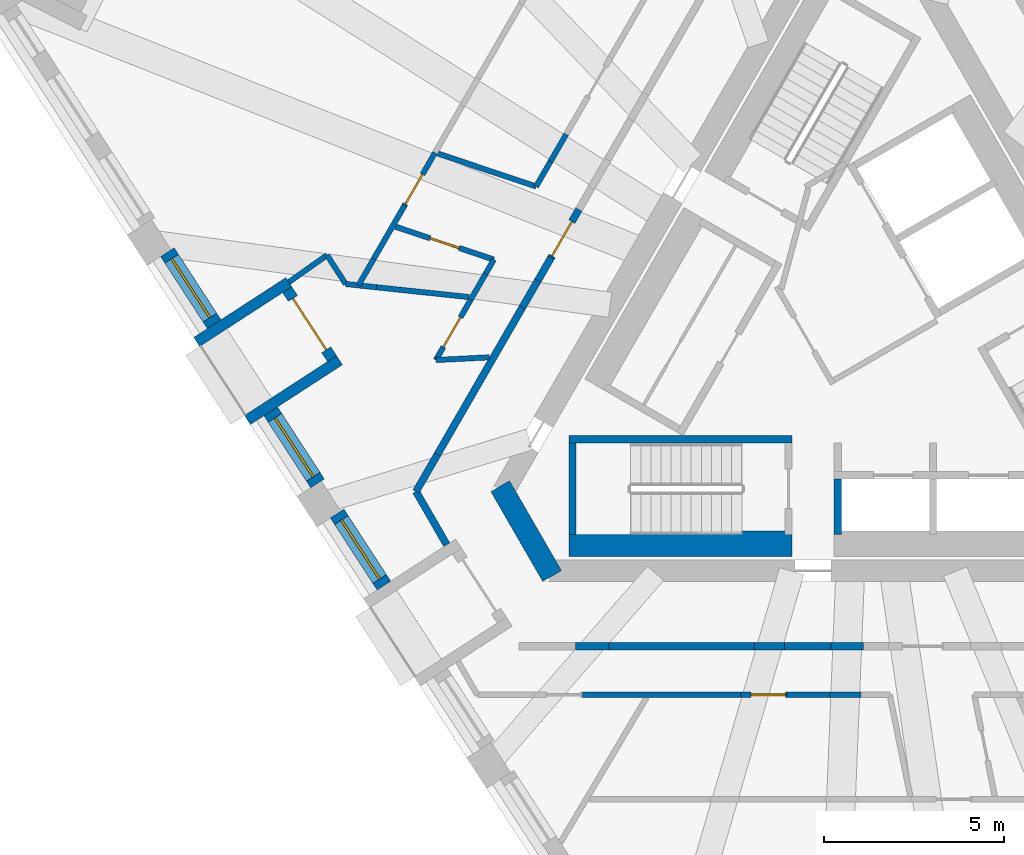
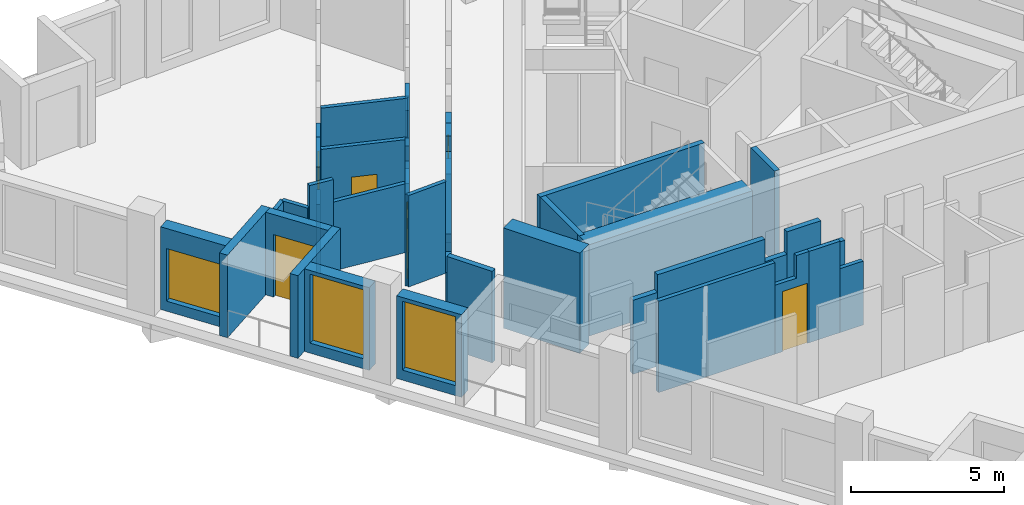
# One storey, part 3 of 12: 41 walls, 6 doors, 3 windows, 9 openings.
"""IFC4 building model written with IfcOpenShell, lengths in metres."""

from ifc_helpers import new_model, si_unit, direction, frame, frame_2d, origin, place, context, subcontext, project, spatial, polyline, rectangle, outline, extrude, material, layer, layer_set, type_object, element, fill, save


model = new_model("IFC4")

# Units and contexts
model_context = context("Model", 3, precision=1e-05, world=origin(), true_north=direction((0.0, 1.0)))
body_context = subcontext(model_context, "Body", "Model", "MODEL_VIEW")
ifc_project = project(units=[si_unit("LENGTHUNIT", "METRE"), si_unit("AREAUNIT", "SQUARE_METRE"), si_unit("VOLUMEUNIT", "CUBIC_METRE"), si_unit("PLANEANGLEUNIT", "RADIAN"), si_unit("MASSUNIT", "GRAM", prefix="KILO")], contexts=[model_context])

# Site, building, storey
site_placement = place(None, origin())
site = spatial("IfcSite", under=ifc_project, at=site_placement, CompositionType="ELEMENT")
building_placement = place(site_placement, origin())
building = spatial("IfcBuilding", under=site, at=building_placement, Name="Tramontana Tower", CompositionType="ELEMENT")
storey_placement = place(building_placement, frame((0.0, 0.0, 298.39990234375)))
storey = spatial("IfcBuildingStorey", under=building, at=storey_placement, Name="L70", CompositionType="ELEMENT", Elevation=298.39990234375)

# Walls
ifc_material_1 = material(Name="Concrete 70 MPa", Category="concrete")
ifc_layer_1 = layer(ifc_material_1, 0.60009765625)
ifc_layer_set_1 = layer_set([ifc_layer_1], Name="Core wall 600 70 MPa")
wall_type_1 = type_object("IfcWallType", Name="Core wall 600 70 MPa", PredefinedType="SHEAR", material=ifc_layer_set_1)
wall_1_placement = place(storey_placement, frame((-9.98828125, -4.10009765625, 0.0), z_axis=(0.0, 0.0, 1.0), x_axis=(0.499995765644, -0.866027848477, 0.0)))
element("IfcWall", 1, at=wall_1_placement, inside=storey, type_object=wall_type_1, Name="Core wall C2 L70", PredefinedType="SHEAR", context=body_context, shape_type="SweptSolid", body=[
    extrude(rectangle(XDim=2.88671875, YDim=0.60009765625, at=frame_2d((1.443359375, 0.0))), origin(), (0.0, 0.0, 1.0), 4.0),
])
ifc_material_2 = material(Name="Blockwork", Category="masonry")
ifc_layer_2 = layer(ifc_material_2, 0.199951171875)
ifc_layer_set_2 = layer_set([ifc_layer_2], Name="ENTRY WALL 200")
wall_type_2 = type_object("IfcWallType", Name="ENTRY WALL 200", PredefinedType="SOLIDWALL", material=ifc_layer_set_2)
wall_2_placement = place(storey_placement, frame((0.104248046875, -8.550048828125, 0.0), z_axis=(0.0, 0.0, 1.0), x_axis=(-1.0, 0.0, 0.0)))
element("IfcWall", 2, at=wall_2_placement, inside=storey, type_object=wall_type_2, Name="Wall v72-ew1-6", PredefinedType="SOLIDWALL", context=body_context, shape_type="SweptSolid", body=[
    extrude(rectangle(XDim=0.900634765625, YDim=0.199951171875, at=frame_2d((0.4501953125, 0.0))), origin(), (0.0, 0.0, 1.0), 2.550048828125),
])
wall_3_placement = place(storey_placement, frame((-0.79638671875, -8.550048828125, 0.0), z_axis=(0.0, 0.0, 1.0), x_axis=(-1.0, 0.0, 0.0)))
element("IfcWall", 3, at=wall_3_placement, inside=storey, type_object=wall_type_2, Name="Wall v72-ew1-7", PredefinedType="SOLIDWALL", context=body_context, shape_type="SweptSolid", body=[
    extrude(rectangle(XDim=1.2861328125, YDim=0.199951171875, at=frame_2d((0.64306640625, 0.0))), origin(), (0.0, 0.0, 1.0), 3.650146484375),
])
wall_4_placement = place(storey_placement, frame((-2.08251953125, -8.550048828125, 0.0), z_axis=(0.0, 0.0, 1.0), x_axis=(-1.0, 0.0, 0.0)))
element("IfcWall", 4, at=wall_4_placement, inside=storey, type_object=wall_type_2, Name="Wall v72-ew1-8", PredefinedType="SOLIDWALL", context=body_context, shape_type="SweptSolid", body=[
    extrude(rectangle(XDim=0.83349609375, YDim=0.199951171875, at=frame_2d((0.416748046875, 0.0))), origin(), (0.0, 0.0, 1.0), 2.75),
])
wall_5_placement = place(storey_placement, frame((-2.916015625, -8.550048828125, 0.0), z_axis=(0.0, 0.0, 1.0), x_axis=(-1.0, 0.0, 0.0)))
element("IfcWall", 5, at=wall_5_placement, inside=storey, type_object=wall_type_2, Name="Wall v72-ew1-9", PredefinedType="SOLIDWALL", context=body_context, shape_type="SweptSolid", body=[
    extrude(rectangle(XDim=4.052490234375, YDim=0.199951171875, at=frame_2d((2.0263671875, 0.0))), origin(), (0.0, 0.0, 1.0), 3.650146484375),
])
wall_6_placement = place(storey_placement, frame((-6.968505859375, -8.550048828125, 0.0), z_axis=(0.0, 0.0, 1.0), x_axis=(-1.0, 0.0, 0.0)))
element("IfcWall", 6, at=wall_6_placement, inside=storey, type_object=wall_type_2, Name="Wall v72-ew1-10", PredefinedType="SOLIDWALL", context=body_context, shape_type="SweptSolid", body=[
    extrude(rectangle(XDim=0.927490234375, YDim=0.199951171875, at=frame_2d((0.4638671875, 0.0))), origin(), (0.0, 0.0, 1.0), 2.9501953125),
])
wall_7_placement = place(storey_placement, frame((-11.472412109375, -5.729248046875, 0.0), z_axis=(0.0, 0.0, 1.0), x_axis=(-0.499982281718, 0.866035633198, 0.0)))
element("IfcWall", 7, at=wall_7_placement, inside=storey, type_object=wall_type_2, Name="Wall v72-ew2", PredefinedType="SOLIDWALL", context=body_context, shape_type="SweptSolid", body=[
    extrude(rectangle(XDim=1.7080078125, YDim=0.199951171875, at=frame_2d((0.85400390625, 0.0))), origin(), (0.0, 0.0, 1.0), 3.650146484375),
])
wall_8_placement = place(storey_placement, frame((-12.326416015625, -4.25, 0.0), z_axis=(0.0, 0.0, 1.0), x_axis=(0.499983247966, 0.86603507536, 0.0)))
element("IfcWall", 8, at=wall_8_placement, inside=storey, type_object=wall_type_2, Name="Wall v72-ew3-0", PredefinedType="SOLIDWALL", context=body_context, shape_type="SweptSolid", body=[
    extrude(rectangle(XDim=1.1884765625, YDim=0.199951171875, at=frame_2d((0.59423828125, 0.0))), origin(), (0.0, 0.0, 1.0), 2.9501953125),
])
wall_9_placement = place(storey_placement, frame((-11.732177734375, -3.220703125, 0.0), z_axis=(0.0, 0.0, 1.0), x_axis=(0.500007683529, 0.866020967652, 0.0)))
element("IfcWall", 9, at=wall_9_placement, inside=storey, type_object=wall_type_2, Name="Wall v72-ew3-1", PredefinedType="SOLIDWALL", context=body_context, shape_type="SweptSolid", body=[
    extrude(rectangle(XDim=4.71728515625, YDim=0.199951171875, at=frame_2d((2.358642578125, 0.0))), origin(), (0.0, 0.0, 1.0), 3.650146484375),
])
wall_10_placement = place(storey_placement, frame((-9.37353515625, 0.864501953125, 0.0), z_axis=(0.0, 0.0, 1.0), x_axis=(0.500056482814, 0.86599279096, 0.0)))
element("IfcWall", 10, at=wall_10_placement, inside=storey, type_object=wall_type_2, Name="Wall v72-ew3-2", PredefinedType="SOLIDWALL", context=body_context, shape_type="SweptSolid", body=[
    extrude(rectangle(XDim=0.86474609375, YDim=0.199951171875, at=frame_2d((0.432373046875, 0.0))), origin(), (0.0, 0.0, 1.0), 2.75),
])
wall_11_placement = place(storey_placement, frame((-8.941162109375, 1.61328125, 0.0), z_axis=(0.0, 0.0, 1.0), x_axis=(0.499875190247, 0.866097450739, 0.0)))
element("IfcWall", 11, at=wall_11_placement, inside=storey, type_object=wall_type_2, Name="Wall v72-ew3-3", PredefinedType="SOLIDWALL", context=body_context, shape_type="SweptSolid", body=[
    extrude(rectangle(XDim=0.738037109375, YDim=0.199951171875, at=frame_2d((0.369140625, 0.0))), origin(), (0.0, 0.0, 1.0), 3.650146484375),
])

# Wall, opening, door
wall_12_placement = place(storey_placement, frame((-8.572265625, 2.25244140625, 0.0), z_axis=(0.0, 0.0, 1.0), x_axis=(0.499992328818, 0.866029832698, 0.0)))
wall_12 = element("IfcWall", 12, at=wall_12_placement, inside=storey, type_object=wall_type_2, Name="Wall v72-ew3-4", PredefinedType="SOLIDWALL", context=body_context, shape_type="SweptSolid", body=[
    extrude(outline(polyline([(0.0, 0.0), (1.5400390625, 0.0), (1.5400390625, 2.550048828125), (0.63037109375, 2.550048828125), (0.63037109375, 3.650146484375), (0.0, 3.650146484375), (0.0, 0.0)])), frame((0.0, 0.10009765625, 0.0), z_axis=(0.0, -1.0, 0.0), x_axis=(1.0, 0.0, 0.0)), (0.0, 0.0, 1.0), 0.199951171875),
])
opening_1_placement = place(wall_12_placement, frame((0.050048828125, 0.0, 0.0)))
opening_1 = element("IfcOpeningElement", 13, at=opening_1_placement, cuts=wall_12, Name="Opening B7C-17", PredefinedType="OPENING", context=body_context, shape_type="SweptSolid", body=[
    extrude(rectangle(XDim=1.10009765625, YDim=2.39990234375, at=frame_2d((0.550048828125, 1.199951171875))), frame((0.0, 0.10986328125, 0.0), z_axis=(0.0, -1.0, 0.0), x_axis=(1.0, 0.0, 0.0)), (0.0, 0.0, 1.0), 0.219970703125),
])
ifc_material_3 = material(Name="Painted timber", Category="wood")
door_type_1 = type_object("IfcDoorType", Name="DOOR ENTRY 1100", OperationType="SINGLE_SWING_LEFT", PredefinedType="DOOR", material=ifc_material_3)
door_1_placement = place(opening_1_placement, origin())
door_1 = element("IfcDoor", 14, at=door_1_placement, inside=storey, type_object=door_type_1, Name="Door B7C-17", OperationType="SINGLE_SWING_LEFT", OverallHeight=2.39990234375, OverallWidth=1.10009765625, PredefinedType="DOOR", context=body_context, shape_type="SweptSolid", body=[
    extrude(rectangle(XDim=1.10009765625, YDim=2.39990234375, at=frame_2d((0.550048828125, 1.199951171875))), frame((0.0, 0.02490234375, 0.0), z_axis=(0.0, -1.0, 0.0), x_axis=(1.0, 0.0, 0.0)), (0.0, 0.0, 1.0), 0.050048828125),
])
fill(opening_1, door_1)

# Wall, opening, window
ifc_material_4 = material(Name="Precast concrete 60 MPa", Category="concrete")
ifc_layer_3 = layer(ifc_material_4, 0.449951171875)
ifc_layer_set_3 = layer_set([ifc_layer_3], Name="Precast concrete 60 MPa, 450 mm")
wall_type_3 = type_object("IfcWallType", Name="EW1 Stone-faced precast wall 450", PredefinedType="SOLIDWALL", material=ifc_layer_set_3)
wall_13_placement = place(storey_placement, frame((-19.236083984375, 2.401123046875, 0.0), z_axis=(0.0, 0.0, 1.0), x_axis=(0.544675520966, -0.838646872563, 0.0)))
wall_13 = element("IfcWall", 15, at=wall_13_placement, inside=storey, type_object=wall_type_3, Name="External wall L70 face 0 bay 2", PredefinedType="SOLIDWALL", context=body_context, shape_type="SweptSolid", body=[
    extrude(rectangle(XDim=2.38671875, YDim=0.449951171875, at=frame_2d((1.193359375, 0.0))), origin(), (0.0, 0.0, 1.0), 3.300048828125),
])
opening_2_placement = place(wall_13_placement, frame((0.21826171875, 0.0, 0.39990234375)))
opening_2 = element("IfcOpeningElement", 16, at=opening_2_placement, cuts=wall_13, Name="Opening M3L", PredefinedType="OPENING", context=body_context, shape_type="SweptSolid", body=[
    extrude(rectangle(XDim=1.949951171875, YDim=2.10009765625, at=frame_2d((0.97509765625, 1.050048828125))), frame((0.0, 0.23486328125, 0.0), z_axis=(0.0, -1.0, 0.0), x_axis=(1.0, 0.0, 0.0)), (0.0, 0.0, 1.0), 0.469970703125),
])
ifc_material_5 = material(Name="Aluminum frame, double glazing unit", Category="aluminium")
window_type_1 = type_object("IfcWindowType", Name="M3L Window 1.95 x 2.1", PartitioningType="SINGLE_PANEL", PredefinedType="WINDOW", material=ifc_material_5)
window_1_placement = place(opening_2_placement, origin())
window_1 = element("IfcWindow", 17, at=window_1_placement, inside=storey, type_object=window_type_1, Name="Window M3L L70 face 0 module 4", OverallHeight=2.10009765625, OverallWidth=1.949951171875, PartitioningType="SINGLE_PANEL", PredefinedType="WINDOW", context=body_context, shape_type="SweptSolid", body=[
    extrude(rectangle(XDim=1.949951171875, YDim=2.10009765625, at=frame_2d((0.97509765625, 1.050048828125))), frame((0.0, 0.030029296875, 0.0), z_axis=(0.0, -1.0, 0.0), x_axis=(1.0, 0.0, 0.0)), (0.0, 0.0, 1.0), 0.06005859375),
])
fill(opening_2, window_1)

wall_14_placement = place(storey_placement, frame((-16.36376953125, -2.021728515625, 0.0), z_axis=(0.0, 0.0, 1.0), x_axis=(0.544603573947, -0.838693595566, 0.0)))
wall_14 = element("IfcWall", 18, at=wall_14_placement, inside=storey, type_object=wall_type_3, Name="External wall L70 face 0 bay 2", PredefinedType="SOLIDWALL", context=body_context, shape_type="SweptSolid", body=[
    extrude(rectangle(XDim=2.38671875, YDim=0.449951171875, at=frame_2d((1.193359375, 0.0))), origin(), (0.0, 0.0, 1.0), 3.300048828125),
])
opening_3_placement = place(wall_14_placement, frame((0.21826171875, 0.0, 0.39990234375)))
opening_3 = element("IfcOpeningElement", 19, at=opening_3_placement, cuts=wall_14, Name="Opening M3", PredefinedType="OPENING", context=body_context, shape_type="SweptSolid", body=[
    extrude(rectangle(XDim=1.949951171875, YDim=2.75, at=frame_2d((0.97509765625, 1.375))), frame((0.0, 0.23486328125, 0.0), z_axis=(0.0, -1.0, 0.0), x_axis=(1.0, 0.0, 0.0)), (0.0, 0.0, 1.0), 0.469970703125),
])
ifc_material_6 = material(Name="Aluminum frame, double glazing unit", Category="aluminium")
window_type_2 = type_object("IfcWindowType", Name="M3 Window 1.95 x 2.75", PartitioningType="SINGLE_PANEL", PredefinedType="WINDOW", material=ifc_material_6)
window_2_placement = place(opening_3_placement, origin())
window_2 = element("IfcWindow", 20, at=window_2_placement, inside=storey, type_object=window_type_2, Name="Window M3 L70 face 0 module 6", OverallHeight=2.75, OverallWidth=1.949951171875, PartitioningType="SINGLE_PANEL", PredefinedType="WINDOW", context=body_context, shape_type="SweptSolid", body=[
    extrude(rectangle(XDim=1.949951171875, YDim=2.75, at=frame_2d((0.97509765625, 1.375))), frame((0.0, 0.030029296875, 0.0), z_axis=(0.0, -1.0, 0.0), x_axis=(1.0, 0.0, 0.0)), (0.0, 0.0, 1.0), 0.06005859375),
])
fill(opening_3, window_2)

wall_15_placement = place(storey_placement, frame((-14.519287109375, -4.862060546875, 0.0), z_axis=(0.0, 0.0, 1.0), x_axis=(0.544603573947, -0.838693595566, 0.0)))
wall_15 = element("IfcWall", 21, at=wall_15_placement, inside=storey, type_object=wall_type_3, Name="External wall L70 face 0 bay 3", PredefinedType="SOLIDWALL", context=body_context, shape_type="SweptSolid", body=[
    extrude(rectangle(XDim=2.38671875, YDim=0.449951171875, at=frame_2d((1.193359375, 0.0))), origin(), (0.0, 0.0, 1.0), 3.300048828125),
])
opening_4_placement = place(wall_15_placement, frame((0.21826171875, 0.0, 0.39990234375)))
opening_4 = element("IfcOpeningElement", 22, at=opening_4_placement, cuts=wall_15, Name="Opening M3", PredefinedType="OPENING", context=body_context, shape_type="SweptSolid", body=[
    extrude(rectangle(XDim=1.949951171875, YDim=2.75, at=frame_2d((0.97509765625, 1.375))), frame((0.0, 0.23486328125, 0.0), z_axis=(0.0, -1.0, 0.0), x_axis=(1.0, 0.0, 0.0)), (0.0, 0.0, 1.0), 0.469970703125),
])
window_3_placement = place(opening_4_placement, origin())
window_3 = element("IfcWindow", 23, at=window_3_placement, inside=storey, type_object=window_type_2, Name="Window M3 L70 face 0 module 7", OverallHeight=2.75, OverallWidth=1.949951171875, PartitioningType="SINGLE_PANEL", PredefinedType="WINDOW", context=body_context, shape_type="SweptSolid", body=[
    extrude(rectangle(XDim=1.949951171875, YDim=2.75, at=frame_2d((0.97509765625, 1.375))), frame((0.0, 0.030029296875, 0.0), z_axis=(0.0, -1.0, 0.0), x_axis=(1.0, 0.0, 0.0)), (0.0, 0.0, 1.0), 0.06005859375),
])
fill(opening_4, window_3)

# Wall, opening, door
ifc_material_7 = material(Name="Precast concrete 60 MPa", Category="concrete")
ifc_layer_4 = layer(ifc_material_7, 0.300048828125)
ifc_layer_set_4 = layer_set([ifc_layer_4], Name="LW1 Stone-faced loggia wall 300")
wall_type_4 = type_object("IfcWallType", Name="LW1 Stone-faced loggia wall 300", PredefinedType="SOLIDWALL", material=ifc_layer_set_4)
wall_16_placement = place(storey_placement, frame((-15.90673828125, 1.359619140625, 0.0), z_axis=(0.0, 0.0, 1.0), x_axis=(0.544658103125, -0.838658184662, 0.0)))
wall_16 = element("IfcWall", 24, at=wall_16_placement, inside=storey, type_object=wall_type_4, Name="Loggia wall L70 G7S0.4", PredefinedType="SOLIDWALL", context=body_context, shape_type="SweptSolid", body=[
    extrude(rectangle(XDim=2.286865234375, YDim=0.300048828125, at=frame_2d((1.1435546875, 0.0))), origin(), (0.0, 0.0, 1.0), 3.300048828125),
])
opening_5_placement = place(wall_16_placement, frame((0.29345703125, 0.0, 0.0)))
opening_5 = element("IfcOpeningElement", 25, at=opening_5_placement, cuts=wall_16, Name="Opening BD-7S0-04", PredefinedType="OPENING", context=body_context, shape_type="SweptSolid", body=[
    extrude(rectangle(XDim=1.699951171875, YDim=2.5, at=frame_2d((0.85009765625, 1.25))), frame((0.0, 0.159912109375, 0.0), z_axis=(0.0, -1.0, 0.0), x_axis=(1.0, 0.0, 0.0)), (0.0, 0.0, 1.0), 0.320068359375),
])
ifc_material_8 = material(Name="Aluminum frame, double glazing unit", Category="aluminium")
door_type_2 = type_object("IfcDoorType", Name="BD3 Sliding door 1.7 x 2.5", OperationType="SLIDING_TO_LEFT", PredefinedType="DOOR", material=ifc_material_8)
door_2_placement = place(opening_5_placement, origin())
door_2 = element("IfcDoor", 26, at=door_2_placement, inside=storey, type_object=door_type_2, Name="Loggia door L70 G7S0.4", OperationType="SLIDING_TO_LEFT", OverallHeight=2.5, OverallWidth=1.699951171875, PredefinedType="DOOR", context=body_context, shape_type="SweptSolid", body=[
    extrude(rectangle(XDim=1.699951171875, YDim=2.5, at=frame_2d((0.85009765625, 1.25))), frame((0.0, 0.02490234375, 0.0), z_axis=(0.0, -1.0, 0.0), x_axis=(1.0, 0.0, 0.0)), (0.0, 0.0, 1.0), 0.050048828125),
])
fill(opening_5, door_2)

# Walls
for number, where, z_axis, x_axis, name in (
    (27, (-18.42041015625, -0.093994140625, 0.0), (0.0, 0.0, 1.0), (0.838664840319, 0.544647854685, 0.0), "Loggia return L70 G7S0.4a"),
    (28, (-17.01171875, -2.263427734375, 0.0), (0.0, 0.0, 1.0), (0.838664840319, 0.544647854685, 0.0), "Loggia return L70 G7S0.4b"),
):
    element("IfcWall", number, at=place(storey_placement, frame(where, z_axis=z_axis, x_axis=x_axis)), inside=storey, type_object=wall_type_4, Name=name, PredefinedType="SOLIDWALL", context=body_context, shape_type="SweptSolid", body=[
        extrude(rectangle(XDim=3.0498046875, YDim=0.300048828125, at=frame_2d((1.52490234375, 0.0))), origin(), (0.0, 0.0, 1.0), 3.300048828125),
    ])
ifc_material_9 = material(Name="Gypsum board partition")
ifc_layer_5 = layer(ifc_material_9, 0.14990234375)
ifc_layer_set_5 = layer_set([ifc_layer_5], Name="PARTITION 150")
wall_type_5 = type_object("IfcWallType", Name="PARTITION 150", PredefinedType="PARTITIONING", material=ifc_layer_set_5)
wall_17_placement = place(storey_placement, frame((-14.80126953125, 2.316162109375, 0.0), z_axis=(0.0, 0.0, 1.0), x_axis=(-0.817009530875, -0.576624163958, 0.0)))
element("IfcWall", 29, at=wall_17_placement, inside=storey, type_object=wall_type_5, Name="Wall v72-pw01-0", PredefinedType="PARTITIONING", context=body_context, shape_type="SweptSolid", body=[
    extrude(rectangle(XDim=1.299072265625, YDim=0.14990234375, at=frame_2d((0.6494140625, 0.0))), origin(), (0.0, 0.0, 1.0), 2.75),
])
wall_18_placement = place(storey_placement, frame((-14.279296875, 1.51611328125, 0.0), z_axis=(0.0, 0.0, 1.0), x_axis=(-0.5444931366, 0.838765297444, 0.0)))
element("IfcWall", 30, at=wall_18_placement, inside=storey, type_object=wall_type_5, Name="Wall v72-pw02-0", PredefinedType="PARTITIONING", context=body_context, shape_type="SweptSolid", body=[
    extrude(rectangle(XDim=0.953369140625, YDim=0.14990234375, at=frame_2d((0.4765625, 0.0))), origin(), (0.0, 0.0, 1.0), 2.75),
])
wall_19_placement = place(storey_placement, frame((-13.92578125, 1.479736328125, 0.0), z_axis=(0.0, 0.0, 1.0), x_axis=(0.499838235968, 0.86611877815, 0.0)))
element("IfcWall", 31, at=wall_19_placement, inside=storey, type_object=wall_type_5, Name="Wall v72-pw03-0", PredefinedType="PARTITIONING", context=body_context, shape_type="SweptSolid", body=[
    extrude(rectangle(XDim=0.851806640625, YDim=0.14990234375, at=frame_2d((0.42578125, 0.0))), origin(), (0.0, 0.0, 1.0), 2.75),
])
wall_20_placement = place(storey_placement, frame((-13.5, 2.217529296875, 0.0), z_axis=(0.0, 0.0, 1.0), x_axis=(0.500015459501, 0.866016478054, 0.0)))
element("IfcWall", 32, at=wall_20_placement, inside=storey, type_object=wall_type_5, Name="Wall v72-pw03-1", PredefinedType="PARTITIONING", context=body_context, shape_type="SweptSolid", body=[
    extrude(rectangle(XDim=1.70703125, YDim=0.14990234375, at=frame_2d((0.853515625, 0.0))), origin(), (0.0, 0.0, 1.0), 3.650146484375),
])

# Wall, opening, door
wall_21_placement = place(storey_placement, frame((-12.646484375, 3.69580078125, 0.0), z_axis=(0.0, 0.0, 1.0), x_axis=(0.500046963369, 0.865998287773, 0.0)))
wall_21 = element("IfcWall", 33, at=wall_21_placement, inside=storey, type_object=wall_type_5, Name="Wall v72-pw03-2", PredefinedType="PARTITIONING", context=body_context, shape_type="SweptSolid", body=[
    extrude(outline(polyline([(0.0, 0.0), (1.693115234375, 0.0), (1.693359375, 2.550048828125), (0.80908203125, 2.550048828125), (0.80908203125, 3.650146484375), (0.0, 3.650146484375), (0.0, 0.0)])), frame((0.0, 0.074951171875, 0.0), z_axis=(0.0, -1.0, 0.0), x_axis=(1.0, 0.0, 0.0)), (0.0, 0.0, 1.0), 0.14990234375),
])
opening_6_placement = place(wall_21_placement, frame((0.050048828125, 0.0, 0.0)))
opening_6 = element("IfcOpeningElement", 34, at=opening_6_placement, cuts=wall_21, Name="Opening B7C-03", PredefinedType="OPENING", context=body_context, shape_type="SweptSolid", body=[
    extrude(rectangle(XDim=0.949951171875, YDim=2.39990234375, at=frame_2d((0.47509765625, 1.199951171875))), frame((0.0, 0.0849609375, 0.0), z_axis=(0.0, -1.0, 0.0), x_axis=(1.0, 0.0, 0.0)), (0.0, 0.0, 1.0), 0.169921875),
])
ifc_material_10 = material(Name="Painted timber", Category="wood")
door_type_3 = type_object("IfcDoorType", Name="DOOR ROOM 950", OperationType="SINGLE_SWING_LEFT", PredefinedType="DOOR", material=ifc_material_10)
door_3_placement = place(opening_6_placement, origin())
door_3 = element("IfcDoor", 35, at=door_3_placement, inside=storey, type_object=door_type_3, Name="Door B7C-03", OperationType="SINGLE_SWING_LEFT", OverallHeight=2.39990234375, OverallWidth=0.949951171875, PredefinedType="DOOR", context=body_context, shape_type="SweptSolid", body=[
    extrude(rectangle(XDim=0.949951171875, YDim=2.39990234375, at=frame_2d((0.47509765625, 1.199951171875))), frame((0.0, 0.02490234375, 0.0), z_axis=(0.0, -1.0, 0.0), x_axis=(1.0, 0.0, 0.0)), (0.0, 0.0, 1.0), 0.050048828125),
])
fill(opening_6, door_3)

# Wall
wall_22_placement = place(storey_placement, frame((-11.724853515625, 5.14208984375, 0.0), z_axis=(0.0, 0.0, 1.0), x_axis=(0.94816538979, -0.317777270433, 0.0)))
element("IfcWall", 36, at=wall_22_placement, inside=storey, type_object=wall_type_5, Name="Wall v72-pw04", PredefinedType="PARTITIONING", context=body_context, shape_type="SweptSolid", body=[
    extrude(rectangle(XDim=2.882568359375, YDim=0.14990234375, at=frame_2d((1.44140625, 0.0))), origin(), (0.0, 0.0, 1.0), 3.650146484375),
])

# Wall, opening, door
wall_23_placement = place(storey_placement, frame((-11.776123046875, -0.5966796875, 0.0), z_axis=(0.0, 0.0, 1.0), x_axis=(0.500036899794, 0.86600409863, 0.0)))
wall_23 = element("IfcWall", 37, at=wall_23_placement, inside=storey, type_object=wall_type_5, Name="Wall v72-pw05-0", PredefinedType="PARTITIONING", context=body_context, shape_type="SweptSolid", body=[
    extrude(rectangle(XDim=1.926513671875, YDim=0.14990234375, at=frame_2d((0.96337890625, 0.0))), origin(), (0.0, 0.0, 1.0), 3.650146484375),
])
opening_7_placement = place(wall_23_placement, frame((0.419921875, 0.0, 0.0)))
opening_7 = element("IfcOpeningElement", 38, at=opening_7_placement, cuts=wall_23, Name="Opening B7C-05", PredefinedType="OPENING", context=body_context, shape_type="SweptSolid", body=[
    extrude(rectangle(XDim=0.949951171875, YDim=2.39990234375, at=frame_2d((0.47509765625, 1.199951171875))), frame((0.0, 0.0849609375, 0.0), z_axis=(0.0, -1.0, 0.0), x_axis=(1.0, 0.0, 0.0)), (0.0, 0.0, 1.0), 0.169921875),
])
door_4_placement = place(opening_7_placement, origin())
door_4 = element("IfcDoor", 39, at=door_4_placement, inside=storey, type_object=door_type_3, Name="Door B7C-05", OperationType="SINGLE_SWING_LEFT", OverallHeight=2.39990234375, OverallWidth=0.949951171875, PredefinedType="DOOR", context=body_context, shape_type="SweptSolid", body=[
    extrude(rectangle(XDim=0.949951171875, YDim=2.39990234375, at=frame_2d((0.47509765625, 1.199951171875))), frame((0.0, 0.02490234375, 0.0), z_axis=(0.0, -1.0, 0.0), x_axis=(1.0, 0.0, 0.0)), (0.0, 0.0, 1.0), 0.050048828125),
])
fill(opening_7, door_4)

# Walls
wall_24_placement = place(storey_placement, frame((-10.812744140625, 1.07177734375, 0.0), z_axis=(0.0, 0.0, 1.0), x_axis=(0.500025132165, 0.866010893236, 0.0)))
element("IfcWall", 40, at=wall_24_placement, inside=storey, type_object=wall_type_5, Name="Wall v72-pw05-1", PredefinedType="PARTITIONING", context=body_context, shape_type="SweptSolid", body=[
    extrude(rectangle(XDim=0.837890625, YDim=0.14990234375, at=frame_2d((0.4189453125, 0.0))), origin(), (0.0, 0.0, 1.0), 2.75),
])
wall_25_placement = place(storey_placement, frame((-10.393798828125, 1.79736328125, 0.0), z_axis=(0.0, 0.0, 1.0), x_axis=(0.49998419723, 0.866034527326, 0.0)))
element("IfcWall", 41, at=wall_25_placement, inside=storey, type_object=wall_type_5, Name="Wall v72-pw05-2", PredefinedType="PARTITIONING", context=body_context, shape_type="SweptSolid", body=[
    extrude(rectangle(XDim=0.45751953125, YDim=0.14990234375, at=frame_2d((0.228759765625, 0.0))), origin(), (0.0, 0.0, 1.0), 3.650146484375),
])
wall_26_placement = place(storey_placement, frame((-10.852783203125, 1.15234375, 0.0), z_axis=(0.0, 0.0, 1.0), x_axis=(-0.99441673879, 0.105524166022, 0.0)))
element("IfcWall", 42, at=wall_26_placement, inside=storey, type_object=wall_type_5, Name="Wall v72-pw06-0", PredefinedType="PARTITIONING", context=body_context, shape_type="SweptSolid", body=[
    extrude(rectangle(XDim=2.5888671875, YDim=0.14990234375, at=frame_2d((1.29443359375, 0.0))), origin(), (0.0, 0.0, 1.0), 2.75),
])
wall_27_placement = place(storey_placement, frame((-13.42724609375, 1.425537109375, 0.0), z_axis=(0.0, 0.0, 1.0), x_axis=(-0.994394015125, 0.1057380853, 0.0)))
element("IfcWall", 43, at=wall_27_placement, inside=storey, type_object=wall_type_5, Name="Wall v72-pw06-1", PredefinedType="PARTITIONING", context=body_context, shape_type="SweptSolid", body=[
    extrude(rectangle(XDim=0.856689453125, YDim=0.14990234375, at=frame_2d((0.42822265625, 0.0))), origin(), (0.0, 0.0, 1.0), 3.650146484375),
])
wall_28_placement = place(storey_placement, frame((-10.291259765625, -0.521484375, 0.0), z_axis=(0.0, 0.0, 1.0), x_axis=(-0.998720193642, -0.050576425459, 0.0)))
element("IfcWall", 44, at=wall_28_placement, inside=storey, type_object=wall_type_5, Name="Wall v72-pw08", PredefinedType="PARTITIONING", context=body_context, shape_type="SweptSolid", body=[
    extrude(rectangle(XDim=1.48681640625, YDim=0.14990234375, at=frame_2d((0.743408203125, 0.0))), origin(), (0.0, 0.0, 1.0), 3.650146484375),
])

# Wall, opening, door
wall_29_placement = place(storey_placement, frame((-10.1650390625, 2.193603515625, 0.0), z_axis=(0.0, 0.0, 1.0), x_axis=(-0.94816538979, 0.317777270433, 0.0)))
wall_29 = element("IfcWall", 45, at=wall_29_placement, inside=storey, type_object=wall_type_5, Name="Wall v72-pw09", PredefinedType="PARTITIONING", context=body_context, shape_type="SweptSolid", body=[
    extrude(rectangle(XDim=2.882568359375, YDim=0.14990234375, at=frame_2d((1.44140625, 0.0))), origin(), (0.0, 0.0, 1.0), 3.650146484375),
])
opening_8_placement = place(wall_29_placement, frame((1.016357421875, 0.0, 0.0)))
opening_8 = element("IfcOpeningElement", 46, at=opening_8_placement, cuts=wall_29, Name="Opening B7C-02", PredefinedType="OPENING", context=body_context, shape_type="SweptSolid", body=[
    extrude(rectangle(XDim=0.85009765625, YDim=2.39990234375, at=frame_2d((0.425048828125, 1.199951171875))), frame((0.0, 0.0849609375, 0.0), z_axis=(0.0, -1.0, 0.0), x_axis=(1.0, 0.0, 0.0)), (0.0, 0.0, 1.0), 0.169921875),
])
ifc_material_11 = material(Name="Painted timber", Category="wood")
door_type_4 = type_object("IfcDoorType", Name="DOOR BATH 850", OperationType="SINGLE_SWING_LEFT", PredefinedType="DOOR", material=ifc_material_11)
door_5_placement = place(opening_8_placement, origin())
door_5 = element("IfcDoor", 47, at=door_5_placement, inside=storey, type_object=door_type_4, Name="Door B7C-02", OperationType="SINGLE_SWING_RIGHT", OverallHeight=2.39990234375, OverallWidth=0.85009765625, PredefinedType="DOOR", context=body_context, shape_type="SweptSolid", body=[
    extrude(rectangle(XDim=0.85009765625, YDim=2.39990234375, at=frame_2d((0.425048828125, 1.199951171875))), frame((0.0, 0.02490234375, 0.0), z_axis=(0.0, -1.0, 0.0), x_axis=(1.0, 0.0, 0.0)), (0.0, 0.0, 1.0), 0.050048828125),
])
fill(opening_8, door_5)

# Walls
wall_30_placement = place(storey_placement, frame((-8.9931640625, 4.223388671875, 0.0), z_axis=(0.0, 0.0, 1.0), x_axis=(0.500003616288, 0.866023315909, 0.0)))
element("IfcWall", 48, at=wall_30_placement, inside=storey, type_object=wall_type_5, Name="Wall v72-pw10-0", PredefinedType="PARTITIONING", context=body_context, shape_type="SweptSolid", body=[
    extrude(rectangle(XDim=0.8017578125, YDim=0.14990234375, at=frame_2d((0.40087890625, 0.0))), origin(), (0.0, 0.0, 1.0), 3.650146484375),
])
wall_31_placement = place(storey_placement, frame((-8.59228515625, 4.917724609375, 0.0), z_axis=(0.0, 0.0, 1.0), x_axis=(0.500036104519, 0.866004557827, 0.0)))
element("IfcWall", 49, at=wall_31_placement, inside=storey, type_object=wall_type_5, Name="Wall v72-pw10-1", PredefinedType="PARTITIONING", context=body_context, shape_type="SweptSolid", body=[
    extrude(rectangle(XDim=0.8759765625, YDim=0.14990234375, at=frame_2d((0.43798828125, 0.0))), origin(), (0.0, 0.0, 1.0), 2.550048828125),
])
wall_32_placement = place(storey_placement, frame((0.037109375, -9.89990234375, 0.0), z_axis=(0.0, 0.0, 1.0), x_axis=(-1.0, 0.0, 0.0)))
element("IfcWall", 50, at=wall_32_placement, inside=storey, type_object=wall_type_5, Name="Wall v72-pw14-1", PredefinedType="PARTITIONING", context=body_context, shape_type="SweptSolid", body=[
    extrude(rectangle(XDim=0.875732421875, YDim=0.14990234375, at=frame_2d((0.43798828125, 0.0))), origin(), (0.0, 0.0, 1.0), 2.550048828125),
])
wall_33_placement = place(storey_placement, frame((-0.838623046875, -9.89990234375, 0.0), z_axis=(0.0, 0.0, 1.0), x_axis=(-1.0, 0.0, 0.0)))
element("IfcWall", 51, at=wall_33_placement, inside=storey, type_object=wall_type_5, Name="Wall v72-pw14-2", PredefinedType="PARTITIONING", context=body_context, shape_type="SweptSolid", body=[
    extrude(rectangle(XDim=1.178955078125, YDim=0.14990234375, at=frame_2d((0.58935546875, 0.0))), origin(), (0.0, 0.0, 1.0), 3.650146484375),
])

# Wall, opening, door
wall_34_placement = place(storey_placement, frame((-2.017578125, -9.89990234375, 0.0), z_axis=(0.0, 0.0, 1.0), x_axis=(-1.0, 0.0, 0.0)))
wall_34 = element("IfcWall", 52, at=wall_34_placement, inside=storey, type_object=wall_type_5, Name="Wall v72-pw14-3", PredefinedType="PARTITIONING", context=body_context, shape_type="SweptSolid", body=[
    extrude(outline(polyline([(0.0, 0.0), (1.280029296875, 0.0), (1.2802734375, 2.75), (0.472900390625, 2.75), (0.472900390625, 3.650146484375), (0.0, 3.650146484375), (0.0, 0.0)])), frame((0.0, 0.074951171875, 0.0), z_axis=(0.0, -1.0, 0.0), x_axis=(1.0, 0.0, 0.0)), (0.0, 0.0, 1.0), 0.14990234375),
])
opening_9_placement = place(wall_34_placement, frame((0.050048828125, 0.0, 0.0)))
opening_9 = element("IfcOpeningElement", 53, at=opening_9_placement, cuts=wall_34, Name="Opening B7C-06", PredefinedType="OPENING", context=body_context, shape_type="SweptSolid", body=[
    extrude(rectangle(XDim=0.949951171875, YDim=2.39990234375, at=frame_2d((0.47509765625, 1.199951171875))), frame((0.0, 0.0849609375, 0.0), z_axis=(0.0, -1.0, 0.0), x_axis=(1.0, 0.0, 0.0)), (0.0, 0.0, 1.0), 0.169921875),
])
door_6_placement = place(opening_9_placement, origin())
door_6 = element("IfcDoor", 54, at=door_6_placement, inside=storey, type_object=door_type_3, Name="Door B7C-06", OperationType="SINGLE_SWING_RIGHT", OverallHeight=2.39990234375, OverallWidth=0.949951171875, PredefinedType="DOOR", context=body_context, shape_type="SweptSolid", body=[
    extrude(rectangle(XDim=0.949951171875, YDim=2.39990234375, at=frame_2d((0.47509765625, 1.199951171875))), frame((0.0, 0.02490234375, 0.0), z_axis=(0.0, -1.0, 0.0), x_axis=(1.0, 0.0, 0.0)), (0.0, 0.0, 1.0), 0.050048828125),
])
fill(opening_9, door_6)

# Walls
wall_35_placement = place(storey_placement, frame((-3.297607421875, -9.89990234375, 0.0), z_axis=(0.0, 0.0, 1.0), x_axis=(-1.0, 0.0, 0.0)))
element("IfcWall", 55, at=wall_35_placement, inside=storey, type_object=wall_type_5, Name="Wall v72-pw14-4", PredefinedType="PARTITIONING", context=body_context, shape_type="SweptSolid", body=[
    extrude(rectangle(XDim=4.40625, YDim=0.14990234375, at=frame_2d((2.203125, 0.0))), origin(), (0.0, 0.0, 1.0), 3.650146484375),
])
ifc_material_12 = material(Name="Concrete 70 MPa", Category="concrete")
ifc_layer_6 = layer(ifc_material_12, 0.699951171875)
ifc_layer_set_6 = layer_set([ifc_layer_6], Name="Concrete 70 MPa, 700 mm")
wall_type_6 = type_object("IfcWallType", Name="RC SHAFT BACK WALL 700", PredefinedType="SOLIDWALL", material=ifc_layer_set_6)
wall_36_placement = place(storey_placement, frame((-8.080078125, -5.699951171875, 0.0), z_axis=(0.0, 0.0, 1.0), x_axis=(1.0, 0.0, 0.0)))
element("IfcWall", 56, at=wall_36_placement, inside=storey, type_object=wall_type_6, Name="Wall st2-back", PredefinedType="SOLIDWALL", context=body_context, shape_type="SweptSolid", body=[
    extrude(rectangle(XDim=6.2001953125, YDim=0.699951171875, at=frame_2d((3.10009765625, 0.0))), origin(), (0.0, 0.0, 1.0), 3.650146484375),
])
ifc_material_13 = material(Name="Concrete 70 MPa", Category="concrete")
ifc_layer_7 = layer(ifc_material_13, 0.199951171875)
ifc_layer_set_7 = layer_set([ifc_layer_7], Name="Concrete 70 MPa, 200 mm")
wall_type_7 = type_object("IfcWallType", Name="RC STAIR AND SHAFT WALL 200", PredefinedType="SOLIDWALL", material=ifc_layer_set_7)
wall_37_placement = place(storey_placement, frame((-8.080078125, -2.800048828125, 0.0), z_axis=(0.0, 0.0, 1.0), x_axis=(1.0, 0.0, 0.0)))
element("IfcWall", 57, at=wall_37_placement, inside=storey, type_object=wall_type_7, Name="Wall st2-front", PredefinedType="SOLIDWALL", context=body_context, shape_type="SweptSolid", body=[
    extrude(rectangle(XDim=6.2001953125, YDim=0.199951171875, at=frame_2d((3.10009765625, 0.0))), origin(), (0.0, 0.0, 1.0), 3.650146484375),
])
wall_38_placement = place(storey_placement, frame((-7.97998046875, -2.89990234375, 0.0), z_axis=(0.0, 0.0, 1.0), x_axis=(0.0, -1.0, 0.0)))
element("IfcWall", 58, at=wall_38_placement, inside=storey, type_object=wall_type_7, Name="Wall st2-far", PredefinedType="SOLIDWALL", context=body_context, shape_type="SweptSolid", body=[
    extrude(rectangle(XDim=2.550048828125, YDim=0.199951171875, at=frame_2d((1.27490234375, 0.0))), origin(), (0.0, 0.0, 1.0), 3.650146484375),
])
wall_39_placement = place(storey_placement, frame((-0.610107421875, -3.89990234375, 0.0), z_axis=(0.0, 0.0, 1.0), x_axis=(0.0, -1.0, 0.0)))
element("IfcWall", 59, at=wall_39_placement, inside=storey, type_object=wall_type_7, Name="Wall row1-side0", PredefinedType="SOLIDWALL", context=body_context, shape_type="SweptSolid", body=[
    extrude(rectangle(XDim=1.550048828125, YDim=0.199951171875, at=frame_2d((0.77490234375, 0.0))), origin(), (0.0, 0.0, 1.0), 3.650146484375),
])

save(model, "model.ifc")
